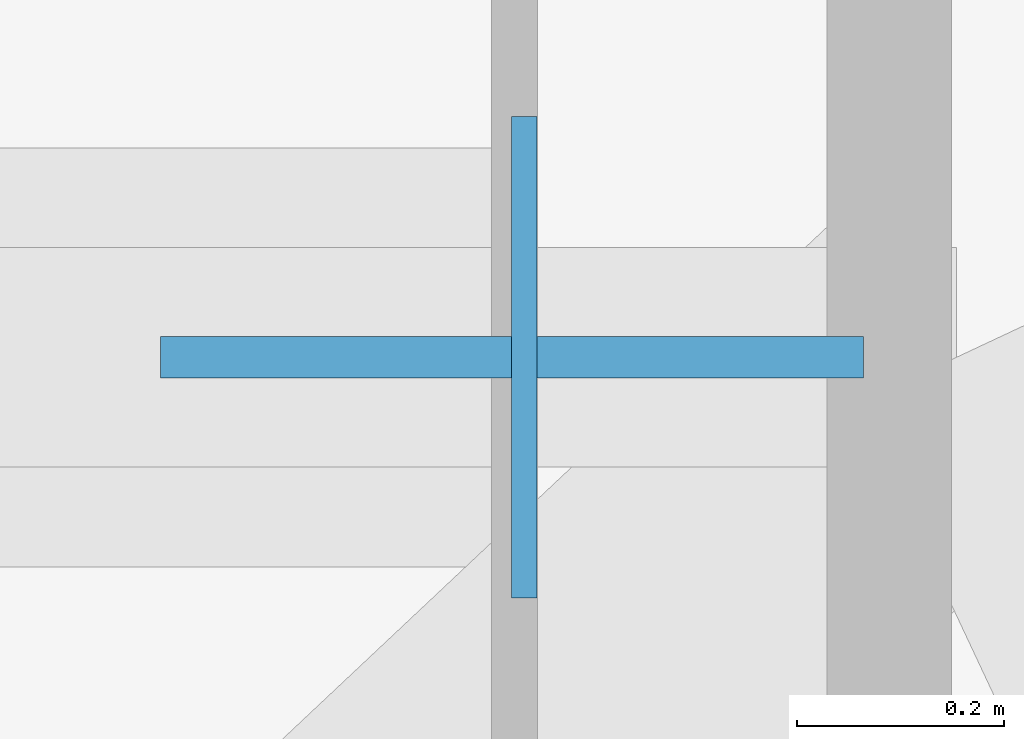
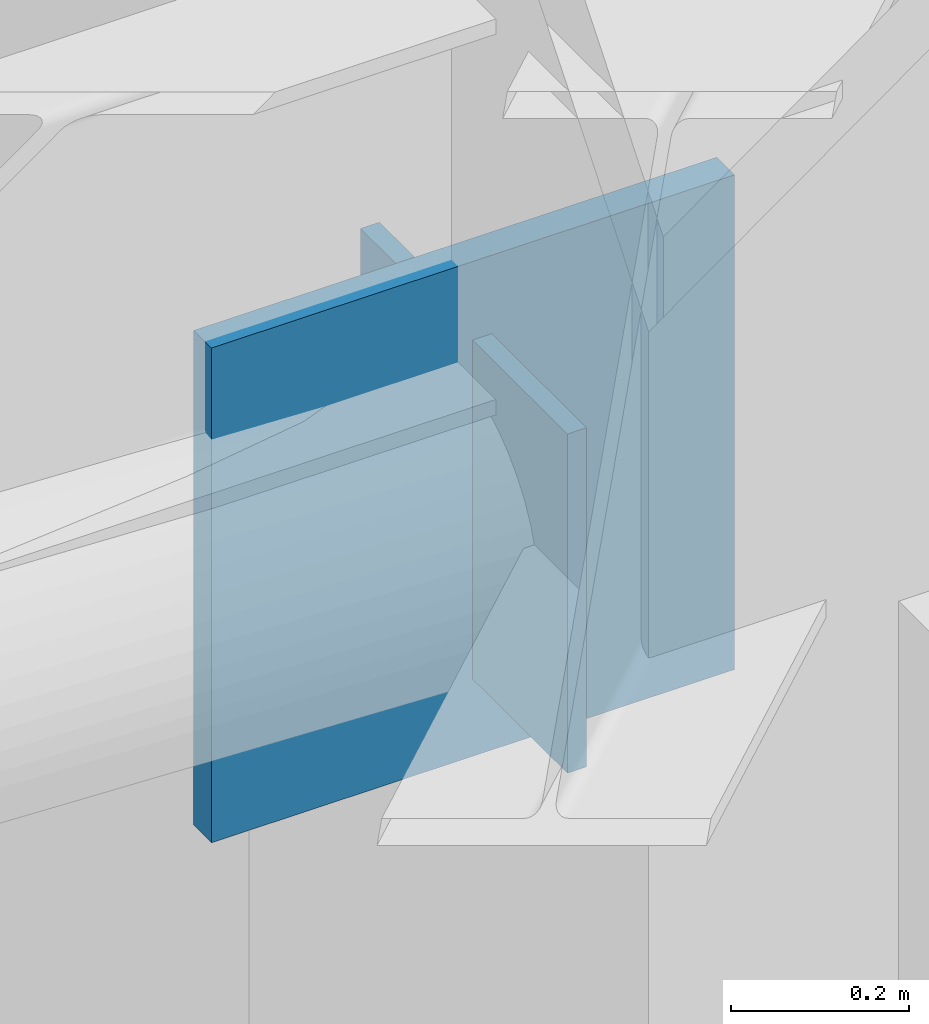
# One storey, part 9 of 17: 2 plates.
"""IFC4 building model written with IfcOpenShell, lengths in metres."""

from ifc_helpers import new_model, si_unit, direction, frame, origin, origin_2d, place, context, subcontext, project, spatial, rectangle, extrude, material, layer, layer_set, type_object, element, save


model = new_model("IFC4")

# Units and contexts
model_context = context("Model", 3, precision=1e-05, world=origin(), true_north=direction((0.0, 1.0)))
body_context = subcontext(model_context, "Body", "Model", "MODEL_VIEW")
ifc_project = project(units=[si_unit("LENGTHUNIT", "METRE"), si_unit("AREAUNIT", "SQUARE_METRE"), si_unit("VOLUMEUNIT", "CUBIC_METRE"), si_unit("PLANEANGLEUNIT", "RADIAN"), si_unit("MASSUNIT", "GRAM", prefix="KILO")], contexts=[model_context])

# Site, building, storey
site_placement = place(None, origin())
site = spatial("IfcSite", under=ifc_project, at=site_placement, CompositionType="ELEMENT")
building_placement = place(site_placement, origin())
building = spatial("IfcBuilding", under=site, at=building_placement, Name="Khamvora Tower", CompositionType="ELEMENT")
storey_placement = place(building_placement, frame((0.0, 0.0, 192.39990234375)))
storey = spatial("IfcBuildingStorey", under=building, at=storey_placement, Name="L49", CompositionType="ELEMENT", Elevation=192.39990234375)

# Plates
ifc_material_1 = material(Name="Steel S355", Category="steel")
ifc_layer_1 = layer(ifc_material_1, 0.02490234375)
ifc_layer_set_1 = layer_set([ifc_layer_1], Name="Steel S355")
plate_type_1 = type_object("IfcPlateType", Name="PL-CAP-25", PredefinedType="SHEET", material=ifc_layer_set_1)
plate_1_placement = place(storey_placement, frame((56.33203125, 44.5, 2.4638671875), z_axis=(0.0, 0.0, 1.0), x_axis=(-1.0, 0.0, 0.0)))
element("IfcPlate", 1, at=plate_1_placement, inside=storey, type_object=plate_type_1, Name="L49 hollow section steel end cap plate 0978", PredefinedType="SHEET", context=body_context, shape_type="SweptSolid", body=[
    extrude(rectangle(XDim=0.02490234375, YDim=0.466064453125, at=origin_2d()), origin(), (0.0, 0.0, 1.0), 0.466064453125),
])
ifc_material_2 = material(Name="Steel S460", Category="steel")
ifc_layer_2 = layer(ifc_material_2, 0.0400390625)
ifc_layer_set_2 = layer_set([ifc_layer_2], Name="Steel S460")
plate_type_2 = type_object("IfcPlateType", Name="PLT-GUS-40", PredefinedType="SHEET", material=ifc_layer_set_2)
plate_2_placement = place(storey_placement, frame((56.320068359375, 44.5, 2.35791015625), z_axis=(0.0, 0.0, 1.0), x_axis=(1.0, 0.0, 0.0)))
element("IfcPlate", 2, at=plate_2_placement, inside=storey, type_object=plate_type_2, Name="L49 brace connection node gusset plate 0315", PredefinedType="SHEET", context=body_context, shape_type="SweptSolid", body=[
    extrude(rectangle(XDim=0.679931640625, YDim=0.0400390625, at=origin_2d()), origin(), (0.0, 0.0, 1.0), 0.679931640625),
])

save(model, "model.ifc")
